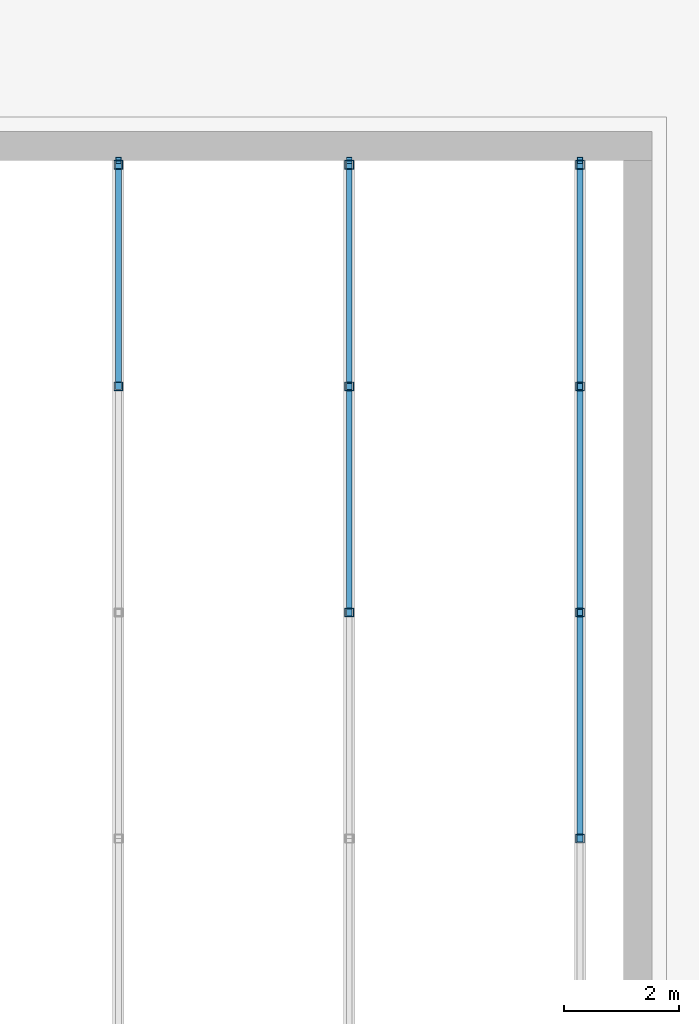
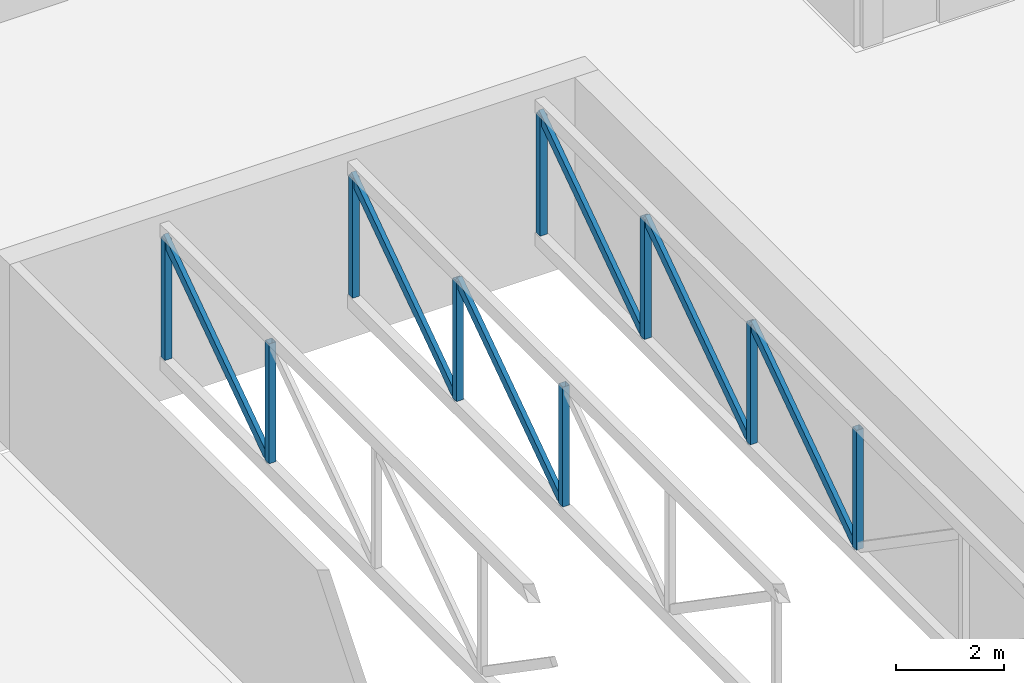
# One storey, part 13 of 33: 15 members.
"""IFC4 building model written with IfcOpenShell, lengths in metres."""

from ifc_helpers import new_model, si_unit, direction, frame, origin, origin_2d, place, context, subcontext, project, spatial, hollow_rectangle, extrude, material, material_profile, profile_set, type_object, element, save


model = new_model("IFC4")

# Units and contexts
model_context = context("Model", 3, precision=1e-05, world=origin(), true_north=direction((0.0, 1.0)))
body_context = subcontext(model_context, "Body", "Model", "MODEL_VIEW")
ifc_project = project(units=[si_unit("LENGTHUNIT", "METRE"), si_unit("AREAUNIT", "SQUARE_METRE"), si_unit("VOLUMEUNIT", "CUBIC_METRE"), si_unit("PLANEANGLEUNIT", "RADIAN"), si_unit("MASSUNIT", "GRAM", prefix="KILO")], contexts=[model_context])

# Site, building, storey
site_placement = place(None, origin())
site = spatial("IfcSite", under=ifc_project, at=site_placement, CompositionType="ELEMENT")
building_placement = place(site_placement, origin())
building = spatial("IfcBuilding", under=site, at=building_placement, Name="Nakaniwa Court", CompositionType="ELEMENT")
storey_placement = place(building_placement, frame((0.0, 0.0, 19.800048828125)))
storey = spatial("IfcBuildingStorey", under=building, at=storey_placement, Name="L04", CompositionType="ELEMENT", Elevation=19.800048828125)

# Members
ifc_material = material(Name="Steel AS/NZS 1163 Grade C350L0", Category="steel")
ifc_material_profile_1 = material_profile(ifc_material, hollow_rectangle(XDim=0.10009765625, YDim=0.199951171875, WallThickness=0.006103515625, at=origin_2d()), Name="RHS 200x100x6")
ifc_profile_set_1 = profile_set([ifc_material_profile_1], Name="Steel AS/NZS 1163 Grade C350L0")
member_type_1 = type_object("IfcMemberType", Name="Roof truss diagonal RHS 200x100x6", PredefinedType="BRACE", material=ifc_profile_set_1)
for number, where, z_axis, x_axis, name in (
    (1, (197.0, 87.833251953125, 1.0), (0.0, 0.823336002071, 0.567554250882), (-1.0, 0.0, 0.0), "Roof truss S1 diagonal 6"),
    (2, (201.0, 83.916748046875, 1.0), (0.0, 0.82331946975, 0.567578233136), (-1.0, 0.0, 0.0), "Roof truss S2 diagonal 5"),
    (3, (201.0, 87.833251953125, 1.0), (0.0, 0.823336002071, 0.567554250882), (-1.0, 0.0, 0.0), "Roof truss S2 diagonal 6"),
    (4, (205.0, 80.0, 1.0), (0.0, 0.823336002071, 0.567554250882), (-1.0, 0.0, 0.0), "Roof truss S3 diagonal 4"),
    (5, (205.0, 83.916748046875, 1.0), (0.0, 0.82331946975, 0.567578233136), (-1.0, 0.0, 0.0), "Roof truss S3 diagonal 5"),
    (6, (205.0, 87.833251953125, 1.0), (0.0, 0.823336002071, 0.567554250882), (-1.0, 0.0, 0.0), "Roof truss S3 diagonal 6"),
):
    element("IfcMember", number, at=place(storey_placement, frame(where, z_axis=z_axis, x_axis=x_axis)), inside=storey, type_object=member_type_1, Name=name, PredefinedType="BRACE", context=body_context, shape_type="SweptSolid", body=[
        extrude(hollow_rectangle(XDim=0.10009765625, YDim=0.199951171875, WallThickness=0.006103515625, at=origin_2d()), origin(), (0.0, 0.0, 1.0), 4.757080078125),
    ])
ifc_material_profile_2 = material_profile(ifc_material, hollow_rectangle(XDim=0.14990234375, YDim=0.14990234375, WallThickness=0.006103515625, at=origin_2d()), Name="SHS 150x150x6")
ifc_profile_set_2 = profile_set([ifc_material_profile_2], Name="Steel AS/NZS 1163 Grade C350L0")
member_type_2 = type_object("IfcMemberType", Name="Roof truss post SHS 150x150x6", PredefinedType="STRUT", material=ifc_profile_set_2)
for number, where, z_axis, x_axis, name in (
    (7, (197.0, 87.833251953125, 1.0), (0.0, 0.0, 1.0), (1.0, 0.0, 0.0), "Roof truss S1 post 6"),
    (8, (197.0, 91.675048828125, 1.0), (0.0, 0.0, 1.0), (1.0, 0.0, 0.0), "Roof truss S1 post 7"),
    (9, (201.0, 83.916748046875, 1.0), (0.0, 0.0, 1.0), (1.0, 0.0, 0.0), "Roof truss S2 post 5"),
    (10, (201.0, 87.833251953125, 1.0), (0.0, 0.0, 1.0), (1.0, 0.0, 0.0), "Roof truss S2 post 6"),
    (11, (201.0, 91.675048828125, 1.0), (0.0, 0.0, 1.0), (1.0, 0.0, 0.0), "Roof truss S2 post 7"),
    (12, (205.0, 80.0, 1.0), (0.0, 0.0, 1.0), (1.0, 0.0, 0.0), "Roof truss S3 post 4"),
    (13, (205.0, 83.916748046875, 1.0), (0.0, 0.0, 1.0), (1.0, 0.0, 0.0), "Roof truss S3 post 5"),
    (14, (205.0, 87.833251953125, 1.0), (0.0, 0.0, 1.0), (1.0, 0.0, 0.0), "Roof truss S3 post 6"),
    (15, (205.0, 91.675048828125, 1.0), (0.0, 0.0, 1.0), (1.0, 0.0, 0.0), "Roof truss S3 post 7"),
):
    element("IfcMember", number, at=place(storey_placement, frame(where, z_axis=z_axis, x_axis=x_axis)), inside=storey, type_object=member_type_2, Name=name, PredefinedType="STRUT", context=body_context, shape_type="SweptSolid", body=[
        extrude(hollow_rectangle(XDim=0.14990234375, YDim=0.14990234375, WallThickness=0.006103515625, at=origin_2d()), origin(), (0.0, 0.0, 1.0), 2.699951171875),
    ])

save(model, "model.ifc")
